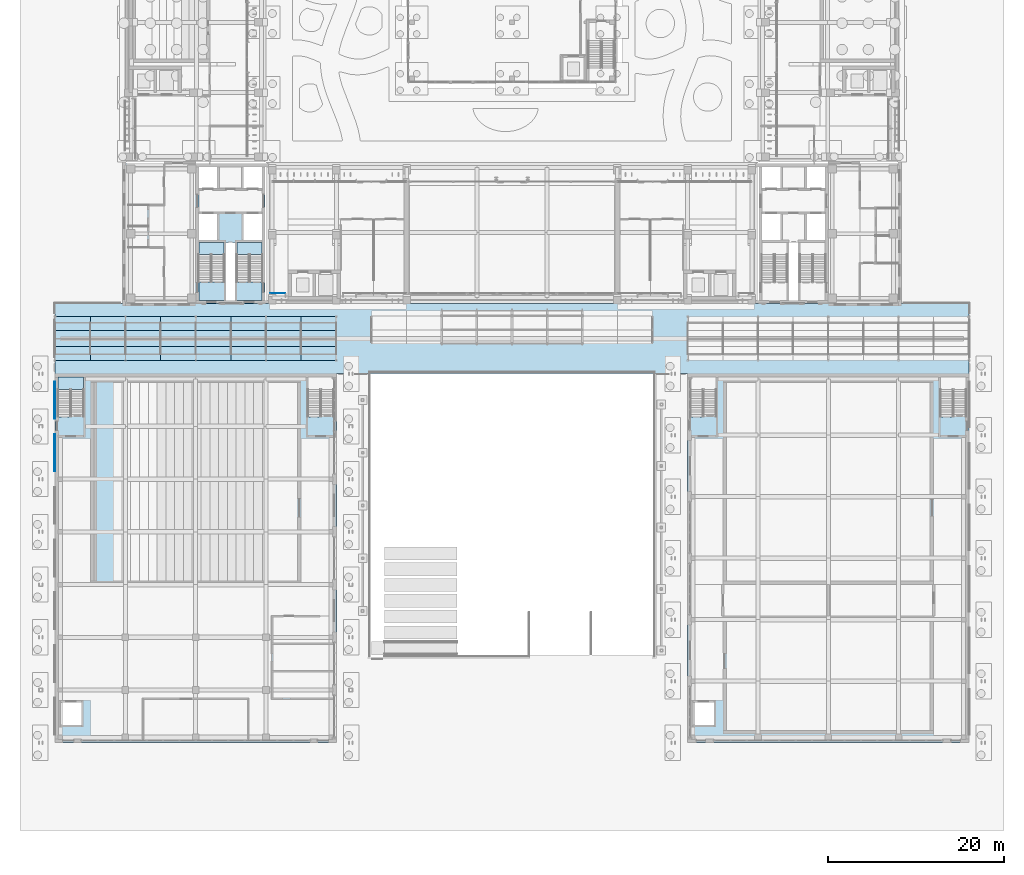
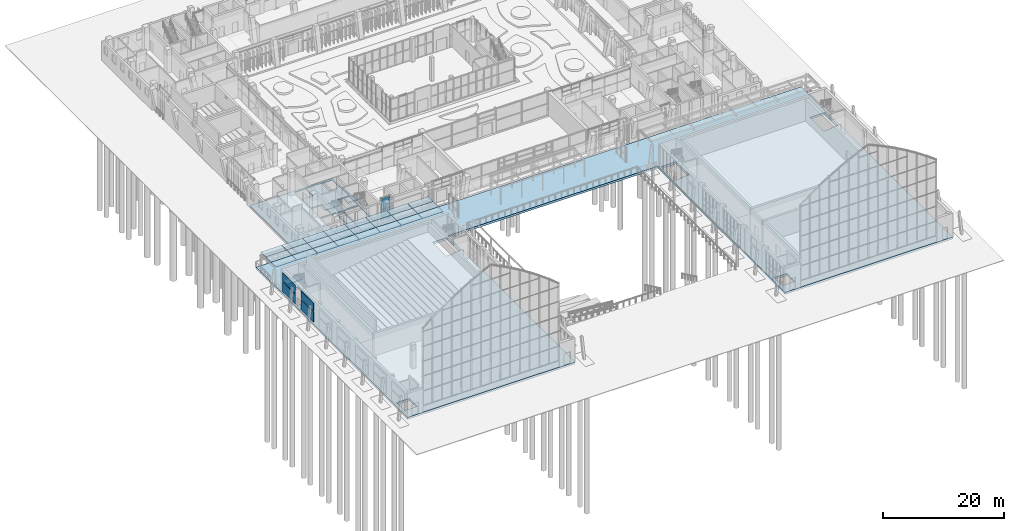
# One storey, part 88 of 144: 30 slabs, 6 plates, 4 elements without a shape of their own.
"""IFC4 building model written with IfcOpenShell, lengths in metres."""

from ifc_helpers import new_model, si_unit, direction, frame, origin, origin_2d, place, context, subcontext, project, spatial, polyline, rectangle, outline, extrude, material, layer, layer_set, type_object, element, aggregate, save


model = new_model("IFC4")

# Units and contexts
model_context = context("Model", 3, precision=1e-05, world=origin(), true_north=direction((0.0, 1.0)))
body_context = subcontext(model_context, "Body", "Model", "MODEL_VIEW")
ifc_project = project(units=[si_unit("LENGTHUNIT", "METRE"), si_unit("AREAUNIT", "SQUARE_METRE"), si_unit("VOLUMEUNIT", "CUBIC_METRE"), si_unit("PLANEANGLEUNIT", "RADIAN"), si_unit("MASSUNIT", "GRAM", prefix="KILO")], contexts=[model_context])

# Site, building, storey
site_placement = place(None, origin())
site = spatial("IfcSite", under=ifc_project, at=site_placement, CompositionType="ELEMENT")
building_placement = place(site_placement, origin())
building = spatial("IfcBuilding", under=site, at=building_placement, Name="Lantern Court Media Centre", CompositionType="ELEMENT")
storey_placement = place(building_placement, origin())
storey = spatial("IfcBuildingStorey", under=building, at=storey_placement, Name="L00", CompositionType="ELEMENT", Elevation=0.0)

# Slabs
ifc_material_1 = material(Name="Zinc standing seam on insulation")
ifc_layer_1 = layer(ifc_material_1, 0.080078125)
ifc_layer_set_1 = layer_set([ifc_layer_1], Name="Zinc standing seam on insulation")
slab_type_1 = type_object("IfcSlabType", Name="Cloister roof panel, standing seam 80", PredefinedType="ROOF", material=ifc_layer_set_1)
slab_1_placement = place(storey_placement, frame((0.00244140625, 41.5, 3.9599609375), z_axis=(0.0, 0.0, 1.0), x_axis=(1.0, 0.0, 0.0)))
element("IfcSlab", 1, at=slab_1_placement, inside=storey, type_object=slab_type_1, Name="Cloister roof panel", PredefinedType="ROOF", context=body_context, shape_type="SweptSolid", body=[
    extrude(outline(polyline([(0.0, 0.0), (3.9951171875, 0.0), (3.9951171875, 1.60009765625), (0.0, 1.60009765625), (0.0, 0.0)])), origin(), (0.0, 0.0, -1.0), 0.080078125),
])
slab_2_placement = place(storey_placement, frame((0.00244140625, 43.10009765625, 3.9599609375), z_axis=(0.0, 0.0, 1.0), x_axis=(1.0, 0.0, 0.0)))
element("IfcSlab", 2, at=slab_2_placement, inside=storey, type_object=slab_type_1, Name="Cloister roof panel", PredefinedType="ROOF", context=body_context, shape_type="SweptSolid", body=[
    extrude(outline(polyline([(0.0, 0.0), (3.9951171875, 0.0), (3.9951171875, 1.7998046875), (0.0, 1.7998046875), (0.0, 0.0)])), origin(), (0.0, 0.0, -1.0), 0.080078125),
])
for number, where, z_axis, x_axis, name in (
    (3, (0.00244140625, 44.89990234375, 3.9599609375), (0.0, 0.0, 1.0), (1.0, 0.0, 0.0), "Cloister roof panel"),
    (4, (4.00244140625, 41.5, 3.9599609375), (0.0, 0.0, 1.0), (1.0, 0.0, 0.0), "Cloister roof panel"),
):
    element("IfcSlab", number, at=place(storey_placement, frame(where, z_axis=z_axis, x_axis=x_axis)), inside=storey, type_object=slab_type_1, Name=name, PredefinedType="ROOF", context=body_context, shape_type="SweptSolid", body=[
        extrude(outline(polyline([(0.0, 0.0), (3.9951171875, 0.0), (3.9951171875, 1.60009765625), (0.0, 1.60009765625), (0.0, 0.0)])), origin(), (0.0, 0.0, -1.0), 0.080078125),
    ])
slab_3_placement = place(storey_placement, frame((4.00244140625, 43.10009765625, 3.9599609375), z_axis=(0.0, 0.0, 1.0), x_axis=(1.0, 0.0, 0.0)))
element("IfcSlab", 5, at=slab_3_placement, inside=storey, type_object=slab_type_1, Name="Cloister roof panel", PredefinedType="ROOF", context=body_context, shape_type="SweptSolid", body=[
    extrude(outline(polyline([(0.0, 0.0), (3.9951171875, 0.0), (3.9951171875, 1.7998046875), (0.0, 1.7998046875), (0.0, 0.0)])), origin(), (0.0, 0.0, -1.0), 0.080078125),
])
for number, where, z_axis, x_axis, name in (
    (6, (4.00244140625, 44.89990234375, 3.9599609375), (0.0, 0.0, 1.0), (1.0, 0.0, 0.0), "Cloister roof panel"),
    (7, (8.00244140625, 41.5, 3.9599609375), (0.0, 0.0, 1.0), (1.0, 0.0, 0.0), "Cloister roof panel"),
):
    element("IfcSlab", number, at=place(storey_placement, frame(where, z_axis=z_axis, x_axis=x_axis)), inside=storey, type_object=slab_type_1, Name=name, PredefinedType="ROOF", context=body_context, shape_type="SweptSolid", body=[
        extrude(outline(polyline([(0.0, 0.0), (3.9951171875, 0.0), (3.9951171875, 1.60009765625), (0.0, 1.60009765625), (0.0, 0.0)])), origin(), (0.0, 0.0, -1.0), 0.080078125),
    ])
slab_4_placement = place(storey_placement, frame((8.00244140625, 43.10009765625, 3.9599609375), z_axis=(0.0, 0.0, 1.0), x_axis=(1.0, 0.0, 0.0)))
element("IfcSlab", 8, at=slab_4_placement, inside=storey, type_object=slab_type_1, Name="Cloister roof panel", PredefinedType="ROOF", context=body_context, shape_type="SweptSolid", body=[
    extrude(outline(polyline([(0.0, 0.0), (3.9951171875, 0.0), (3.9951171875, 1.7998046875), (0.0, 1.7998046875), (0.0, 0.0)])), origin(), (0.0, 0.0, -1.0), 0.080078125),
])
for number, where, z_axis, x_axis, name in (
    (9, (8.00244140625, 44.89990234375, 3.9599609375), (0.0, 0.0, 1.0), (1.0, 0.0, 0.0), "Cloister roof panel"),
    (10, (12.00244140625, 41.5, 3.9599609375), (0.0, 0.0, 1.0), (1.0, 0.0, 0.0), "Cloister roof panel"),
):
    element("IfcSlab", number, at=place(storey_placement, frame(where, z_axis=z_axis, x_axis=x_axis)), inside=storey, type_object=slab_type_1, Name=name, PredefinedType="ROOF", context=body_context, shape_type="SweptSolid", body=[
        extrude(outline(polyline([(0.0, 0.0), (3.9951171875, 0.0), (3.9951171875, 1.60009765625), (0.0, 1.60009765625), (0.0, 0.0)])), origin(), (0.0, 0.0, -1.0), 0.080078125),
    ])
slab_5_placement = place(storey_placement, frame((12.00244140625, 43.10009765625, 3.9599609375), z_axis=(0.0, 0.0, 1.0), x_axis=(1.0, 0.0, 0.0)))
element("IfcSlab", 11, at=slab_5_placement, inside=storey, type_object=slab_type_1, Name="Cloister roof panel", PredefinedType="ROOF", context=body_context, shape_type="SweptSolid", body=[
    extrude(outline(polyline([(0.0, 0.0), (3.9951171875, 0.0), (3.9951171875, 1.7998046875), (0.0, 1.7998046875), (0.0, 0.0)])), origin(), (0.0, 0.0, -1.0), 0.080078125),
])
for number, where, z_axis, x_axis, name in (
    (12, (12.00244140625, 44.89990234375, 3.9599609375), (0.0, 0.0, 1.0), (1.0, 0.0, 0.0), "Cloister roof panel"),
    (13, (16.00244140625, 41.5, 3.9599609375), (0.0, 0.0, 1.0), (1.0, 0.0, 0.0), "Cloister roof panel"),
):
    element("IfcSlab", number, at=place(storey_placement, frame(where, z_axis=z_axis, x_axis=x_axis)), inside=storey, type_object=slab_type_1, Name=name, PredefinedType="ROOF", context=body_context, shape_type="SweptSolid", body=[
        extrude(outline(polyline([(0.0, 0.0), (3.9951171875, 0.0), (3.9951171875, 1.60009765625), (0.0, 1.60009765625), (0.0, 0.0)])), origin(), (0.0, 0.0, -1.0), 0.080078125),
    ])
slab_6_placement = place(storey_placement, frame((16.00244140625, 43.10009765625, 3.9599609375), z_axis=(0.0, 0.0, 1.0), x_axis=(1.0, 0.0, 0.0)))
element("IfcSlab", 14, at=slab_6_placement, inside=storey, type_object=slab_type_1, Name="Cloister roof panel", PredefinedType="ROOF", context=body_context, shape_type="SweptSolid", body=[
    extrude(outline(polyline([(0.0, 0.0), (3.9951171875, 0.0), (3.9951171875, 1.7998046875), (0.0, 1.7998046875), (0.0, 0.0)])), origin(), (0.0, 0.0, -1.0), 0.080078125),
])
for number, where, z_axis, x_axis, name in (
    (15, (16.00244140625, 44.89990234375, 3.9599609375), (0.0, 0.0, 1.0), (1.0, 0.0, 0.0), "Cloister roof panel"),
    (16, (20.00244140625, 41.5, 3.9599609375), (0.0, 0.0, 1.0), (1.0, 0.0, 0.0), "Cloister roof panel"),
):
    element("IfcSlab", number, at=place(storey_placement, frame(where, z_axis=z_axis, x_axis=x_axis)), inside=storey, type_object=slab_type_1, Name=name, PredefinedType="ROOF", context=body_context, shape_type="SweptSolid", body=[
        extrude(outline(polyline([(0.0, 0.0), (3.9951171875, 0.0), (3.9951171875, 1.60009765625), (0.0, 1.60009765625), (0.0, 0.0)])), origin(), (0.0, 0.0, -1.0), 0.080078125),
    ])
slab_7_placement = place(storey_placement, frame((20.00244140625, 43.10009765625, 3.9599609375), z_axis=(0.0, 0.0, 1.0), x_axis=(1.0, 0.0, 0.0)))
element("IfcSlab", 17, at=slab_7_placement, inside=storey, type_object=slab_type_1, Name="Cloister roof panel", PredefinedType="ROOF", context=body_context, shape_type="SweptSolid", body=[
    extrude(outline(polyline([(0.0, 0.0), (3.9951171875, 0.0), (3.9951171875, 1.7998046875), (0.0, 1.7998046875), (0.0, 0.0)])), origin(), (0.0, 0.0, -1.0), 0.080078125),
])
for number, where, z_axis, x_axis, name in (
    (18, (20.00244140625, 44.89990234375, 3.9599609375), (0.0, 0.0, 1.0), (1.0, 0.0, 0.0), "Cloister roof panel"),
    (19, (24.00244140625, 41.5, 3.9599609375), (0.0, 0.0, 1.0), (1.0, 0.0, 0.0), "Cloister roof panel"),
):
    element("IfcSlab", number, at=place(storey_placement, frame(where, z_axis=z_axis, x_axis=x_axis)), inside=storey, type_object=slab_type_1, Name=name, PredefinedType="ROOF", context=body_context, shape_type="SweptSolid", body=[
        extrude(outline(polyline([(0.0, 0.0), (3.9951171875, 0.0), (3.9951171875, 1.60009765625), (0.0, 1.60009765625), (0.0, 0.0)])), origin(), (0.0, 0.0, -1.0), 0.080078125),
    ])
slab_8_placement = place(storey_placement, frame((24.00244140625, 43.10009765625, 3.9599609375), z_axis=(0.0, 0.0, 1.0), x_axis=(1.0, 0.0, 0.0)))
element("IfcSlab", 20, at=slab_8_placement, inside=storey, type_object=slab_type_1, Name="Cloister roof panel", PredefinedType="ROOF", context=body_context, shape_type="SweptSolid", body=[
    extrude(outline(polyline([(0.0, 0.0), (3.9951171875, 0.0), (3.9951171875, 1.7998046875), (0.0, 1.7998046875), (0.0, 0.0)])), origin(), (0.0, 0.0, -1.0), 0.080078125),
])
for number, where, z_axis, x_axis, name in (
    (21, (24.00244140625, 44.89990234375, 3.9599609375), (0.0, 0.0, 1.0), (1.0, 0.0, 0.0), "Cloister roof panel"),
    (22, (28.00244140625, 41.5, 3.9599609375), (0.0, 0.0, 1.0), (1.0, 0.0, 0.0), "Cloister roof panel"),
):
    element("IfcSlab", number, at=place(storey_placement, frame(where, z_axis=z_axis, x_axis=x_axis)), inside=storey, type_object=slab_type_1, Name=name, PredefinedType="ROOF", context=body_context, shape_type="SweptSolid", body=[
        extrude(outline(polyline([(0.0, 0.0), (3.9951171875, 0.0), (3.9951171875, 1.60009765625), (0.0, 1.60009765625), (0.0, 0.0)])), origin(), (0.0, 0.0, -1.0), 0.080078125),
    ])
slab_9_placement = place(storey_placement, frame((28.00244140625, 43.10009765625, 3.9599609375), z_axis=(0.0, 0.0, 1.0), x_axis=(1.0, 0.0, 0.0)))
element("IfcSlab", 23, at=slab_9_placement, inside=storey, type_object=slab_type_1, Name="Cloister roof panel", PredefinedType="ROOF", context=body_context, shape_type="SweptSolid", body=[
    extrude(outline(polyline([(0.0, 0.0), (3.9951171875, 0.0), (3.9951171875, 1.7998046875), (0.0, 1.7998046875), (0.0, 0.0)])), origin(), (0.0, 0.0, -1.0), 0.080078125),
])
slab_10_placement = place(storey_placement, frame((28.00244140625, 44.89990234375, 3.9599609375), z_axis=(0.0, 0.0, 1.0), x_axis=(1.0, 0.0, 0.0)))
element("IfcSlab", 24, at=slab_10_placement, inside=storey, type_object=slab_type_1, Name="Cloister roof panel", PredefinedType="ROOF", context=body_context, shape_type="SweptSolid", body=[
    extrude(outline(polyline([(0.0, 0.0), (3.9951171875, 0.0), (3.9951171875, 1.60009765625), (0.0, 1.60009765625), (0.0, 0.0)])), origin(), (0.0, 0.0, -1.0), 0.080078125),
])
ifc_material_2 = material(Name="Concrete C40", Category="concrete")
ifc_layer_2 = layer(ifc_material_2, 0.25)
ifc_layer_set_2 = layer_set([ifc_layer_2], Name="Concrete C40")
slab_type_2 = type_object("IfcSlabType", Name="Core floor slab 250", PredefinedType="FLOOR", material=ifc_layer_set_2)
slab_11_placement = place(storey_placement, frame((0.0, 0.0, -0.25)))
element("IfcSlab", 25, at=slab_11_placement, inside=storey, type_object=slab_type_2, Name="L00 SW core floor", PredefinedType="FLOOR", context=body_context, shape_type="SweptSolid", body=[
    extrude(outline(polyline([(16.35009765625, 58.199951171875), (16.35009765625, 61.10009765625), (18.449951171875, 61.10009765625), (18.449951171875, 63.550048828125), (21.449951171875, 63.550048828125), (21.449951171875, 61.10009765625), (23.550048828125, 61.10009765625), (23.550048828125, 58.199951171875), (21.449951171875, 58.199951171875), (21.449951171875, 55.199951171875), (23.550048828125, 55.199951171875), (23.550048828125, 54.94970703125), (20.700439453125, 54.94970703125), (20.700439453125, 50.450439453125), (23.550048828125, 50.450439453125), (23.550048828125, 48.35009765625), (20.449951171875, 48.35009765625), (20.449951171875, 54.949951171875), (19.449951171875, 54.949951171875), (19.449951171875, 48.35009765625), (16.35009765625, 48.35009765625), (16.35009765625, 50.450439453125), (19.19970703125, 50.450439453125), (19.19970703125, 54.94970703125), (16.35009765625, 54.94970703125), (16.35009765625, 55.199951171875), (18.449951171875, 55.199951171875), (18.449951171875, 58.199951171875), (16.35009765625, 58.199951171875)])), origin(), (0.0, 0.0, 1.0), 0.25),
])

# Curtain wall, plates
ifc_material_3 = material(Name="Curtain wall bay 3000")
curtain_wall_type = type_object("IfcCurtainWallType", Name="Curtain wall bay 3000", PredefinedType="NOTDEFINED", material=ifc_material_3)
curtain_wall_placement = place(storey_placement, origin())
curtain_wall = element("IfcCurtainWall", 26, at=curtain_wall_placement, inside=storey, type_object=curtain_wall_type, Name="Curtain wall S outer L00", PredefinedType="NOTDEFINED")
ifc_material_4 = material(Name="Low-iron double glazed unit glass", Category="glass")
ifc_layer_3 = layer(ifc_material_4, 0.028076171875)
ifc_layer_set_3 = layer_set([ifc_layer_3], Name="Low-iron double glazed unit glass")
plate_type_1 = type_object("IfcPlateType", Name="Curtain wall glazing unit 28", PredefinedType="CURTAIN_PANEL", material=ifc_layer_set_3)
plate_1_placement = place(storey_placement, frame((25.3349609375, 49.14990234375, 0.06005859375), z_axis=(0.0, 0.0, 1.0), x_axis=(1.0, 0.0, 0.0)))
plate_1 = element("IfcPlate", 27, at=plate_1_placement, type_object=plate_type_1, Name="CW1 panel 1.1", PredefinedType="CURTAIN_PANEL", context=body_context, shape_type="SweptSolid", body=[
    extrude(rectangle(XDim=1.7099609375, YDim=0.028076171875, at=origin_2d()), origin(), (0.0, 0.0, 1.0), 2.199951171875),
])
plate_2_placement = place(storey_placement, frame((25.3349609375, 49.14990234375, 2.31982421875), z_axis=(0.0, 0.0, 1.0), x_axis=(1.0, 0.0, 0.0)))
plate_2 = element("IfcPlate", 28, at=plate_2_placement, type_object=plate_type_1, Name="CW1 panel 1.2", PredefinedType="CURTAIN_PANEL", context=body_context, shape_type="SweptSolid", body=[
    extrude(rectangle(XDim=1.7099609375, YDim=0.028076171875, at=origin_2d()), origin(), (0.0, 0.0, 1.0), 2.199951171875),
])
aggregate(curtain_wall, [plate_1, plate_2])

# Slabs
ifc_material_5 = material(Name="Concrete C35", Category="concrete")
ifc_layer_4 = layer(ifc_material_5, 0.199951171875)
ifc_layer_set_4 = layer_set([ifc_layer_4], Name="Concrete C35")
slab_type_3 = type_object("IfcSlabType", Name="RC FLOOR SLAB 200", PredefinedType="FLOOR", material=ifc_layer_set_4)
slab_12_placement = place(storey_placement, frame((0.0, 0.0, -0.199951171875)))
element("IfcSlab", 29, at=slab_12_placement, inside=storey, type_object=slab_type_3, Name="SL-SW-L00", PredefinedType="FLOOR", context=body_context, shape_type="SweptSolid", body=[
    extrude(outline(polyline([(8.0, 48.0), (8.0, 63.89990234375), (23.89990234375, 63.89990234375), (23.89990234375, 48.0), (8.0, 48.0)]), holes=[polyline([(23.550048828125, 63.550048828125), (16.35009765625, 63.550048828125), (16.35009765625, 48.35009765625), (23.550048828125, 48.35009765625), (23.550048828125, 63.550048828125)])]), origin(), (0.0, 0.0, 1.0), 0.199951171875),
])
ifc_layer_5 = layer(ifc_material_5, 0.419921875)
ifc_layer_set_5 = layer_set([ifc_layer_5], Name="Concrete C35")
slab_type_4 = type_object("IfcSlabType", Name="RC FLOOR SLAB 420", PredefinedType="FLOOR", material=ifc_layer_set_5)
slab_13_placement = place(storey_placement, frame((0.0, 0.0, -0.419921875)))
element("IfcSlab", 30, at=slab_13_placement, inside=storey, type_object=slab_type_4, Name="SL-PLAZA-L00", PredefinedType="FLOOR", context=body_context, shape_type="SweptSolid", body=[
    extrude(outline(polyline([(0.0, -2.0), (0.0, 40.0), (0.0, 48.0), (104.0, 48.0), (104.0, 40.0), (104.0, -2.0), (72.0, -2.0), (72.0, 40.0), (32.0, 40.0), (32.0, -2.0), (0.0, -2.0)]), holes=[polyline([(0.60009765625, 2.60009765625), (0.60009765625, 0.0), (3.0, 0.0), (3.0, 2.60009765625), (0.60009765625, 2.60009765625)]), polyline([(75.0, 2.60009765625), (72.60009765625, 2.60009765625), (72.60009765625, 0.0), (75.0, 0.0), (75.0, 2.60009765625)]), polyline([(3.19970703125, 39.599609375), (0.350341796875, 39.599609375), (0.350341796875, 35.100341796875), (1.849609375, 35.100341796875), (1.849609375, 35.30029296875), (3.19970703125, 35.30029296875), (3.19970703125, 39.599609375)]), polyline([(28.80029296875, 39.599609375), (28.80029296875, 35.100341796875), (30.299560546875, 35.100341796875), (30.299560546875, 35.30029296875), (31.649658203125, 35.30029296875), (31.649658203125, 39.599609375), (28.80029296875, 39.599609375)]), polyline([(75.19970703125, 39.599609375), (72.350341796875, 39.599609375), (72.350341796875, 35.100341796875), (73.849609375, 35.100341796875), (73.849609375, 35.30029296875), (75.19970703125, 35.30029296875), (75.19970703125, 39.599609375)]), polyline([(103.649658203125, 39.599609375), (100.80029296875, 39.599609375), (100.80029296875, 35.100341796875), (102.299560546875, 35.100341796875), (102.299560546875, 35.30029296875), (103.649658203125, 35.30029296875), (103.649658203125, 39.599609375)])]), origin(), (0.0, 0.0, 1.0), 0.419921875),
])

# Stair, slab
stair_type = type_object("IfcStairType", Name="Exit stair 1350", PredefinedType="HALF_TURN_STAIR", material=ifc_material_2)
stair_1_placement = place(storey_placement, origin())
stair_1 = element("IfcStair", 31, at=stair_1_placement, inside=storey, type_object=stair_type, Name="L00 SW exit stair A", PredefinedType="HALF_TURN_STAIR")
ifc_layer_6 = layer(ifc_material_2, 0.199951171875)
ifc_layer_set_6 = layer_set([ifc_layer_6], Name="Concrete C40")
slab_type_5 = type_object("IfcSlabType", Name="Stair landing RC 200", PredefinedType="LANDING", material=ifc_layer_set_6)
slab_14_placement = place(storey_placement, frame((0.0, 0.0, 2.199951171875)))
slab_14 = element("IfcSlab", 32, at=slab_14_placement, type_object=slab_type_5, Name="ST-SWA landing 1", PredefinedType="LANDING", context=body_context, shape_type="SweptSolid", body=[
    extrude(outline(polyline([(19.199951171875, 53.570068359375), (19.199951171875, 54.949951171875), (16.35009765625, 54.949951171875), (16.35009765625, 53.570068359375), (19.199951171875, 53.570068359375)])), origin(), (0.0, 0.0, 1.0), 0.199951171875),
])
aggregate(stair_1, [slab_14])

stair_2_placement = place(storey_placement, origin())
stair_2 = element("IfcStair", 33, at=stair_2_placement, inside=storey, type_object=stair_type, Name="L00 SW exit stair B", PredefinedType="HALF_TURN_STAIR")
slab_15_placement = place(storey_placement, frame((0.0, 0.0, 2.199951171875)))
slab_15 = element("IfcSlab", 34, at=slab_15_placement, type_object=slab_type_5, Name="ST-SWB landing 1", PredefinedType="LANDING", context=body_context, shape_type="SweptSolid", body=[
    extrude(outline(polyline([(23.550048828125, 53.570068359375), (23.550048828125, 54.949951171875), (20.699951171875, 54.949951171875), (20.699951171875, 53.570068359375), (23.550048828125, 53.570068359375)])), origin(), (0.0, 0.0, 1.0), 0.199951171875),
])
aggregate(stair_2, [slab_15])

stair_3_placement = place(storey_placement, origin())
stair_3 = element("IfcStair", 35, at=stair_3_placement, inside=storey, type_object=stair_type, Name="L00 V1-ST-W exit stair", PredefinedType="HALF_TURN_STAIR")
slab_16_placement = place(storey_placement, frame((0.0, 0.0, 2.199951171875)))
slab_16 = element("IfcSlab", 36, at=slab_16_placement, type_object=slab_type_5, Name="ST-V1-ST-W landing 1", PredefinedType="LANDING", context=body_context, shape_type="SweptSolid", body=[
    extrude(outline(polyline([(3.199951171875, 38.219970703125), (3.199951171875, 39.60009765625), (0.35009765625, 39.60009765625), (0.35009765625, 38.219970703125), (3.199951171875, 38.219970703125)])), origin(), (0.0, 0.0, 1.0), 0.199951171875),
])
aggregate(stair_3, [slab_16])

# Plates
ifc_material_6 = material(Name="Limestone cladding", Category="masonry")
ifc_layer_7 = layer(ifc_material_6, 0.080078125)
ifc_layer_set_7 = layer_set([ifc_layer_7], Name="Limestone cladding")
plate_type_2 = type_object("IfcPlateType", Name="Stone relief panel", PredefinedType="SHEET", material=ifc_layer_set_7)
plate_3_placement = place(storey_placement, frame((-0.0400390625, 31.0, 0.5), z_axis=(0.0, 0.0, 1.0), x_axis=(1.0, 0.0, 0.0)))
element("IfcPlate", 37, at=plate_3_placement, inside=storey, type_object=plate_type_2, Name="Cinema Hall street face relief panel", PredefinedType="SHEET", context=body_context, shape_type="SweptSolid", body=[
    extrude(rectangle(XDim=0.080078125, YDim=4.199951171875, at=origin_2d()), origin(), (0.0, 0.0, 1.0), 2.0),
])
plate_4_placement = place(storey_placement, frame((-0.0400390625, 31.0, 2.699951171875), z_axis=(0.0, 0.0, 1.0), x_axis=(1.0, 0.0, 0.0)))
element("IfcPlate", 38, at=plate_4_placement, inside=storey, type_object=plate_type_2, Name="Cinema Hall street face relief panel", PredefinedType="SHEET", context=body_context, shape_type="SweptSolid", body=[
    extrude(rectangle(XDim=0.080078125, YDim=4.199951171875, at=origin_2d()), origin(), (0.0, 0.0, 1.0), 1.60009765625),
])
plate_5_placement = place(storey_placement, frame((-0.0400390625, 37.0, 0.5), z_axis=(0.0, 0.0, 1.0), x_axis=(1.0, 0.0, 0.0)))
element("IfcPlate", 39, at=plate_5_placement, inside=storey, type_object=plate_type_2, Name="Cinema Hall street face relief panel", PredefinedType="SHEET", context=body_context, shape_type="SweptSolid", body=[
    extrude(rectangle(XDim=0.080078125, YDim=4.199951171875, at=origin_2d()), origin(), (0.0, 0.0, 1.0), 2.0),
])
plate_6_placement = place(storey_placement, frame((-0.0400390625, 37.0, 2.699951171875), z_axis=(0.0, 0.0, 1.0), x_axis=(1.0, 0.0, 0.0)))
element("IfcPlate", 40, at=plate_6_placement, inside=storey, type_object=plate_type_2, Name="Cinema Hall street face relief panel", PredefinedType="SHEET", context=body_context, shape_type="SweptSolid", body=[
    extrude(rectangle(XDim=0.080078125, YDim=4.199951171875, at=origin_2d()), origin(), (0.0, 0.0, 1.0), 1.60009765625),
])

save(model, "model.ifc")
